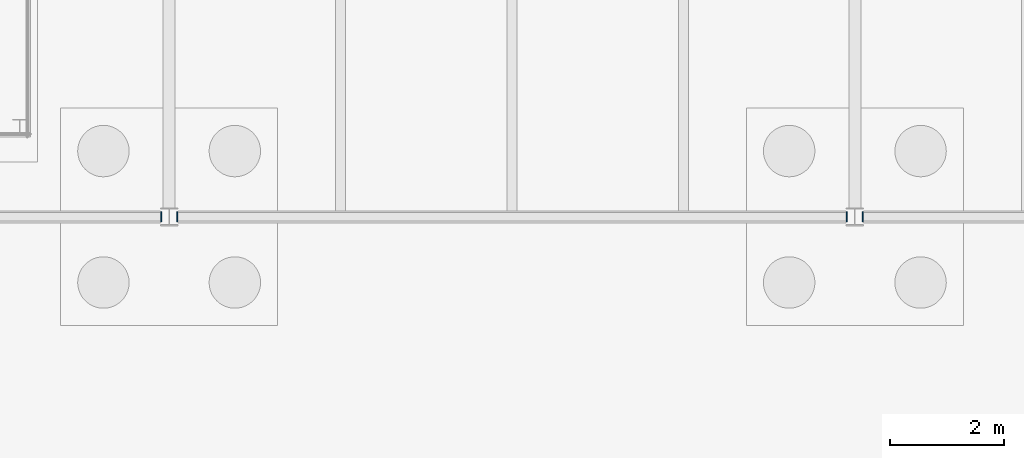
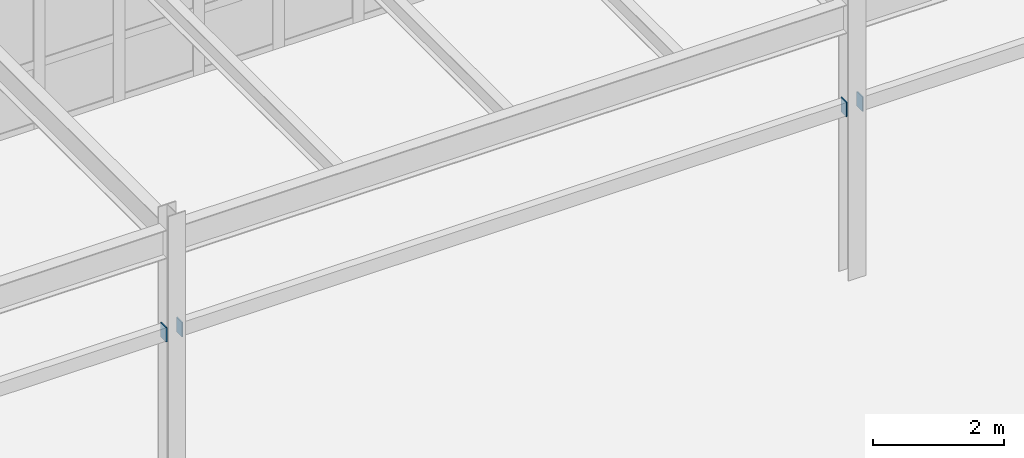
# One storey, part 155 of 188: 4 plates.
"""IFC4 building model written with IfcOpenShell, lengths in metres."""

from ifc_helpers import new_model, si_unit, direction, frame, origin, origin_2d, place, context, subcontext, project, spatial, rectangle, extrude, material, layer, layer_set, type_object, element, save


model = new_model("IFC4")

# Units and contexts
model_context = context("Model", 3, precision=1e-05, world=origin(), true_north=direction((0.0, 1.0)))
body_context = subcontext(model_context, "Body", "Model", "MODEL_VIEW")
ifc_project = project(units=[si_unit("LENGTHUNIT", "METRE"), si_unit("AREAUNIT", "SQUARE_METRE"), si_unit("VOLUMEUNIT", "CUBIC_METRE"), si_unit("PLANEANGLEUNIT", "RADIAN"), si_unit("MASSUNIT", "GRAM", prefix="KILO")], contexts=[model_context])

# Site, building, storey
site_placement = place(None, origin())
site = spatial("IfcSite", under=ifc_project, at=site_placement, CompositionType="ELEMENT")
building_placement = place(site_placement, origin())
building = spatial("IfcBuilding", under=site, at=building_placement, Name="Pandanus Reach Market Hall", CompositionType="ELEMENT")
storey_placement = place(building_placement, origin())
storey = spatial("IfcBuildingStorey", under=building, at=storey_placement, Name="L00", CompositionType="ELEMENT", Elevation=0.0)

# Plates
ifc_material = material(Name="Steel Grade 350 (350 MPa)", Category="steel")
ifc_layer = layer(ifc_material, 0.02001953125, Name="CP-PL20")
ifc_layer_set = layer_set([ifc_layer], Name="Steel Grade 350 (350 MPa)")
plate_type = type_object("IfcPlateType", Name="CP-PL20", PredefinedType="SHEET", material=ifc_layer_set)
for number, where, z_axis, x_axis, name in (
    (1, (95.860107421875, 76.800048828125, 3.014892578125), (0.0, 0.0, 1.0), (1.0, 0.0, 0.0), "Hollow lintel end cap plate CP-PL20 9B"),
    (2, (96.139892578125, 76.800048828125, 3.014892578125), (0.0, 0.0, 1.0), (1.0, 0.0, 0.0), "Hollow lintel end cap plate CP-PL20 10A"),
    (3, (107.860107421875, 76.800048828125, 3.014892578125), (0.0, 0.0, 1.0), (1.0, 0.0, 0.0), "Hollow lintel end cap plate CP-PL20 10B"),
    (4, (108.139892578125, 76.800048828125, 3.014892578125), (0.0, 0.0, 1.0), (1.0, 0.0, 0.0), "Hollow lintel end cap plate CP-PL20 11A"),
):
    element("IfcPlate", number, at=place(storey_placement, frame(where, z_axis=z_axis, x_axis=x_axis)), inside=storey, type_object=plate_type, Name=name, PredefinedType="SHEET", context=body_context, shape_type="SweptSolid", body=[
        extrude(rectangle(XDim=0.02001953125, YDim=0.169921875, at=origin_2d()), origin(), (0.0, 0.0, 1.0), 0.27001953125),
    ])

save(model, "model.ifc")
